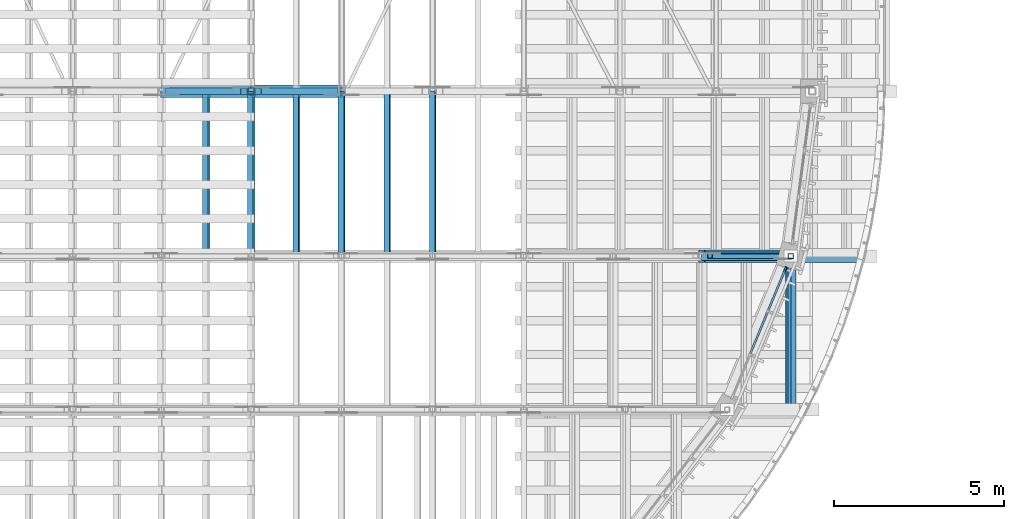
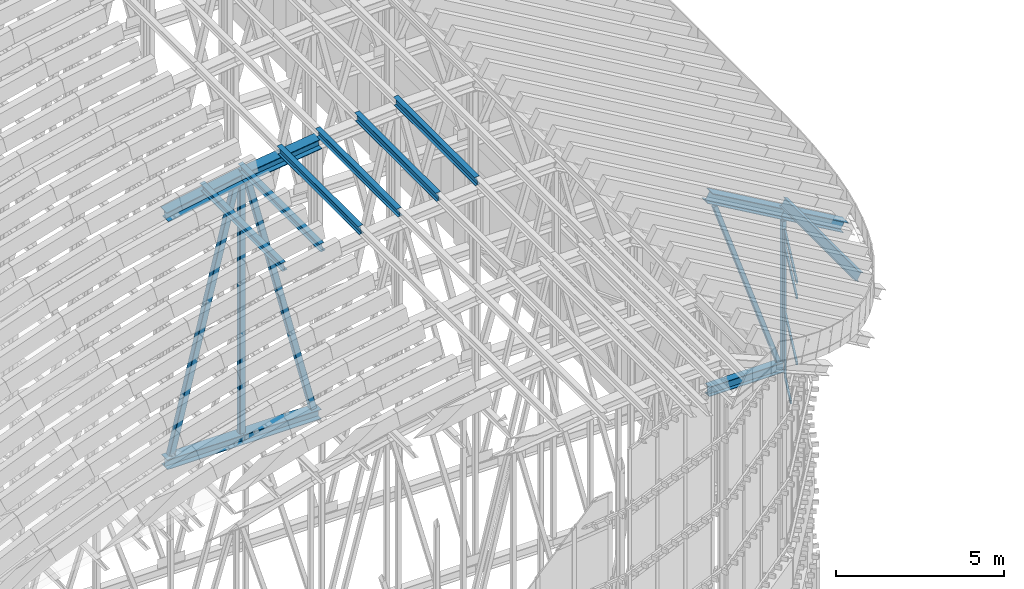
# One storey, part 13 of 105: 27 members, 1 element without a shape of its own.
"""IFC4 building model written with IfcOpenShell, lengths in metres."""

from ifc_helpers import new_model, si_unit, direction, frame, origin, origin_2d, place, context, subcontext, project, spatial, rectangle, hollow_rectangle, i_section, extrude, material, layer, layer_set, material_profile, profile_set, type_object, element, aggregate, save


model = new_model("IFC4")

# Units and contexts
model_context = context("Model", 3, precision=1e-05, world=origin(), true_north=direction((0.0, 1.0)))
body_context = subcontext(model_context, "Body", "Model", "MODEL_VIEW")
ifc_project = project(units=[si_unit("LENGTHUNIT", "METRE"), si_unit("AREAUNIT", "SQUARE_METRE"), si_unit("VOLUMEUNIT", "CUBIC_METRE"), si_unit("PLANEANGLEUNIT", "RADIAN"), si_unit("MASSUNIT", "GRAM", prefix="KILO")], contexts=[model_context])

# Site, building, storey
site_placement = place(None, origin())
site = spatial("IfcSite", under=ifc_project, at=site_placement, CompositionType="ELEMENT")
building_placement = place(site_placement, origin())
building = spatial("IfcBuilding", under=site, at=building_placement, Name="Wasatch Bagh Community Centre", CompositionType="ELEMENT")
storey_placement = place(building_placement, frame((0.0, 0.0, 16.800048828125)))
storey = spatial("IfcBuildingStorey", under=building, at=storey_placement, Name="L04", CompositionType="ELEMENT", Elevation=16.800048828125)

# Members
ifc_material_1 = material(Name="ASTM A500 Grade C steel", Category="steel")
ifc_material_profile_1 = material_profile(ifc_material_1, hollow_rectangle(XDim=0.15234375, YDim=0.15234375, WallThickness=0.0087890625, InnerFilletRadius=0.0087890625, OuterFilletRadius=0.017822265625, at=origin_2d()), Name="HSS6x6x3/8")
ifc_profile_set_1 = profile_set([ifc_material_profile_1], Name="ASTM A500 Grade C steel")
member_type_1 = type_object("IfcMemberType", Name="HSS6x6x3/8 brace", PredefinedType="BRACE", material=ifc_profile_set_1)
member_1_placement = place(storey_placement, frame((53.9248046875, 30.147216796875, 8.095703125), z_axis=(-0.322264482439, 0.0, 0.946649672983), x_axis=(0.0, -1.0, 0.0)))
element("IfcMember", 1, at=member_1_placement, inside=storey, type_object=member_type_1, Name="MH.TS1.WB14", PredefinedType="BRACE", context=body_context, shape_type="SweptSolid", body=[
    extrude(hollow_rectangle(XDim=0.15234375, YDim=0.15234375, WallThickness=0.0087890625, InnerFilletRadius=0.0087890625, OuterFilletRadius=0.017822265625, at=origin_2d()), origin(), (0.0, 0.0, 1.0), 6.79931640625),
])
ifc_material_profile_2 = material_profile(ifc_material_1, hollow_rectangle(XDim=0.15234375, YDim=0.15234375, WallThickness=0.0087890625, InnerFilletRadius=0.0087890625, OuterFilletRadius=0.017822265625, at=origin_2d()), Name="HSS6x6x3/8")
ifc_profile_set_2 = profile_set([ifc_material_profile_2], Name="ASTM A500 Grade C steel")
member_type_2 = type_object("IfcMemberType", Name="HSS6x6x3/8 post", PredefinedType="POST", material=ifc_profile_set_2)
member_2_placement = place(storey_placement, frame((54.111083984375, 30.147216796875, 8.070556640625), z_axis=(0.0, 0.0, 1.0), x_axis=(1.0, 0.0, 0.0)))
element("IfcMember", 2, at=member_2_placement, inside=storey, type_object=member_type_2, Name="MH.TS1.PS15", PredefinedType="POST", context=body_context, shape_type="SweptSolid", body=[
    extrude(hollow_rectangle(XDim=0.15234375, YDim=0.15234375, WallThickness=0.0087890625, InnerFilletRadius=0.0087890625, OuterFilletRadius=0.017822265625, at=origin_2d()), origin(), (0.0, 0.0, 1.0), 5.090576171875),
])
ifc_material_profile_3 = material_profile(ifc_material_1, hollow_rectangle(XDim=0.203125, YDim=0.203125, WallThickness=0.01171875, InnerFilletRadius=0.01171875, OuterFilletRadius=0.023681640625, at=origin_2d()), Name="HSS8x8x1/2")
ifc_profile_set_3 = profile_set([ifc_material_profile_3], Name="ASTM A500 Grade C steel")
member_type_3 = type_object("IfcMemberType", Name="HSS8x8x1/2 post", PredefinedType="POST", material=ifc_profile_set_3)
member_3_placement = place(storey_placement, frame((38.226318359375, 35.0, 8.070556640625), z_axis=(0.0, 0.0, 1.0), x_axis=(1.0, 0.0, 0.0)))
element("IfcMember", 3, at=member_3_placement, inside=storey, type_object=member_type_3, Name="MH.TA1.PS10", PredefinedType="POST", context=body_context, shape_type="SweptSolid", body=[
    extrude(hollow_rectangle(XDim=0.203125, YDim=0.203125, WallThickness=0.01171875, InnerFilletRadius=0.01171875, OuterFilletRadius=0.023681640625, at=origin_2d()), origin(), (0.0, 0.0, 1.0), 9.114013671875),
])
ifc_material_profile_4 = material_profile(ifc_material_1, hollow_rectangle(XDim=0.203125, YDim=0.203125, WallThickness=0.0087890625, InnerFilletRadius=0.0087890625, OuterFilletRadius=0.017822265625, at=origin_2d()), Name="HSS8x8x3/8")
ifc_profile_set_4 = profile_set([ifc_material_profile_4], Name="ASTM A500 Grade C steel")
member_type_4 = type_object("IfcMemberType", Name="HSS8x8x3/8 brace", PredefinedType="BRACE", material=ifc_profile_set_4)
member_4_placement = place(storey_placement, frame((35.7900390625, 35.0, 8.095458984375), z_axis=(0.239060955477, 0.0, 0.971004562073), x_axis=(0.0, 1.0, 0.0)))
element("IfcMember", 4, at=member_4_placement, inside=storey, type_object=member_type_4, Name="MH.TA1.WB09", PredefinedType="BRACE", context=body_context, shape_type="SweptSolid", body=[
    extrude(hollow_rectangle(XDim=0.203125, YDim=0.203125, WallThickness=0.0087890625, InnerFilletRadius=0.0087890625, OuterFilletRadius=0.017822265625, at=origin_2d()), origin(), (0.0, 0.0, 1.0), 9.29541015625),
])
member_5_placement = place(storey_placement, frame((40.68408203125, 35.0, 8.095458984375), z_axis=(-0.239967720636, 0.0, 0.97078086768), x_axis=(0.0, -1.0, 0.0)))
element("IfcMember", 5, at=member_5_placement, inside=storey, type_object=member_type_4, Name="MH.TA1.WB10", PredefinedType="BRACE", context=body_context, shape_type="SweptSolid", body=[
    extrude(hollow_rectangle(XDim=0.203125, YDim=0.203125, WallThickness=0.0087890625, InnerFilletRadius=0.0087890625, OuterFilletRadius=0.017822265625, at=origin_2d()), origin(), (0.0, 0.0, 1.0), 9.398681640625),
])

# Curtain wall, members
ifc_material_2 = material(Name="Aluminium curtain wall frame with low-iron glass", Category="aluminium")
ifc_layer = layer(ifc_material_2, 0.10009765625)
ifc_layer_set = layer_set([ifc_layer], Name="Aluminium curtain wall frame with low-iron glass")
curtain_wall_type = type_object("IfcCurtainWallType", Name="MH end screen curtain wall 9", PredefinedType="NOTDEFINED", material=ifc_layer_set)
curtain_wall_placement = place(storey_placement, origin())
curtain_wall = element("IfcCurtainWall", 6, at=curtain_wall_placement, inside=storey, type_object=curtain_wall_type, Name="End screen 11", PredefinedType="NOTDEFINED")
ifc_material_3 = material(Name="Aluminium extrusion", Category="aluminium")
ifc_material_profile_5 = material_profile(ifc_material_3, rectangle(XDim=0.06005859375, YDim=0.159912109375, at=origin_2d()), Name="AL 60x160")
ifc_profile_set_5 = profile_set([ifc_material_profile_5], Name="Aluminium extrusion")
member_type_5 = type_object("IfcMemberType", Name="MH end screen mullion 60x160", PredefinedType="MULLION", material=ifc_profile_set_5)
member_6_placement = place(storey_placement, frame((53.95166015625, 29.762451171875, 7.699951171875), z_axis=(0.0, 0.0, 1.0), x_axis=(-0.923879532585, 0.382683432188, 0.0)))
member_6 = element("IfcMember", 7, at=member_6_placement, type_object=member_type_5, Name="MH-CW9 mullion 4", PredefinedType="MULLION", context=body_context, shape_type="SweptSolid", body=[
    extrude(rectangle(XDim=0.06005859375, YDim=0.159912109375, at=origin_2d()), origin(), (0.0, 0.0, 1.0), 5.39990234375),
])
ifc_material_profile_6 = material_profile(ifc_material_3, rectangle(XDim=0.06005859375, YDim=0.1201171875, at=origin_2d()), Name="AL 60x120")
ifc_profile_set_6 = profile_set([ifc_material_profile_6], Name="Aluminium extrusion")
member_type_6 = type_object("IfcMemberType", Name="MH end screen transom 60x120", PredefinedType="USERDEFINED", material=ifc_profile_set_6)
member_7_placement = place(storey_placement, frame((52.923095703125, 27.279052734375, 10.099853515625), z_axis=(0.382767514508, 0.923844700065, 0.0), x_axis=(-0.923844700065, 0.382767514508, 0.0)))
member_7 = element("IfcMember", 8, at=member_7_placement, type_object=member_type_6, Name="MH-CW9 transom 2.2", ObjectType="TRANSOM", PredefinedType="USERDEFINED", context=body_context, shape_type="SweptSolid", body=[
    extrude(rectangle(XDim=0.06005859375, YDim=0.1201171875, at=origin_2d()), origin(), (0.0, 0.0, 1.0), 1.31396484375),
])
member_8_placement = place(storey_placement, frame((52.923095703125, 27.279052734375, 12.5), z_axis=(0.382767514508, 0.923844700065, 0.0), x_axis=(-0.923844700065, 0.382767514508, 0.0)))
member_8 = element("IfcMember", 9, at=member_8_placement, type_object=member_type_6, Name="MH-CW9 transom 2.3", ObjectType="TRANSOM", PredefinedType="USERDEFINED", context=body_context, shape_type="SweptSolid", body=[
    extrude(rectangle(XDim=0.06005859375, YDim=0.1201171875, at=origin_2d()), origin(), (0.0, 0.0, 1.0), 1.31396484375),
])
member_9_placement = place(storey_placement, frame((52.923095703125, 27.279052734375, 13.070068359375), z_axis=(0.382767514508, 0.923844700065, 0.0), x_axis=(-0.923844700065, 0.382767514508, 0.0)))
member_9 = element("IfcMember", 10, at=member_9_placement, type_object=member_type_6, Name="MH-CW9 transom 2.4", ObjectType="TRANSOM", PredefinedType="USERDEFINED", context=body_context, shape_type="SweptSolid", body=[
    extrude(rectangle(XDim=0.06005859375, YDim=0.1201171875, at=origin_2d()), origin(), (0.0, 0.0, 1.0), 1.31396484375),
])
member_10_placement = place(storey_placement, frame((53.448974609375, 28.548583984375, 7.72998046875), z_axis=(0.382642933155, 0.923896306793, 0.0), x_axis=(-0.923896306793, 0.382642933155, 0.0)))
member_10 = element("IfcMember", 11, at=member_10_placement, type_object=member_type_6, Name="MH-CW9 transom 3.1", ObjectType="TRANSOM", PredefinedType="USERDEFINED", context=body_context, shape_type="SweptSolid", body=[
    extrude(rectangle(XDim=0.06005859375, YDim=0.1201171875, at=origin_2d()), origin(), (0.0, 0.0, 1.0), 1.28369140625),
])
member_11_placement = place(storey_placement, frame((53.448974609375, 28.548583984375, 10.099853515625), z_axis=(0.382642933155, 0.923896306793, 0.0), x_axis=(-0.923896306793, 0.382642933155, 0.0)))
member_11 = element("IfcMember", 12, at=member_11_placement, type_object=member_type_6, Name="MH-CW9 transom 3.2", ObjectType="TRANSOM", PredefinedType="USERDEFINED", context=body_context, shape_type="SweptSolid", body=[
    extrude(rectangle(XDim=0.06005859375, YDim=0.1201171875, at=origin_2d()), origin(), (0.0, 0.0, 1.0), 1.28369140625),
])
member_12_placement = place(storey_placement, frame((53.448974609375, 28.548583984375, 12.5), z_axis=(0.382642933155, 0.923896306793, 0.0), x_axis=(-0.923896306793, 0.382642933155, 0.0)))
member_12 = element("IfcMember", 13, at=member_12_placement, type_object=member_type_6, Name="MH-CW9 transom 3.3", ObjectType="TRANSOM", PredefinedType="USERDEFINED", context=body_context, shape_type="SweptSolid", body=[
    extrude(rectangle(XDim=0.06005859375, YDim=0.1201171875, at=origin_2d()), origin(), (0.0, 0.0, 1.0), 1.28369140625),
])
member_13_placement = place(storey_placement, frame((53.448974609375, 28.548583984375, 13.070068359375), z_axis=(0.382642933155, 0.923896306793, 0.0), x_axis=(-0.923896306793, 0.382642933155, 0.0)))
member_13 = element("IfcMember", 14, at=member_13_placement, type_object=member_type_6, Name="MH-CW9 transom 3.4", ObjectType="TRANSOM", PredefinedType="USERDEFINED", context=body_context, shape_type="SweptSolid", body=[
    extrude(rectangle(XDim=0.06005859375, YDim=0.1201171875, at=origin_2d()), origin(), (0.0, 0.0, 1.0), 1.28369140625),
])
aggregate(curtain_wall, [member_6, member_7, member_8, member_9, member_10, member_11, member_12, member_13])

# Members
ifc_material_4 = material(Name="ASTM A992 Grade 50 steel", Category="steel")
ifc_material_profile_7 = material_profile(ifc_material_4, i_section(OverallWidth=0.164794921875, OverallDepth=0.309814453125, WebThickness=0.005859375, FlangeThickness=0.009765625, at=origin_2d()), Name="W12x26")
ifc_profile_set_7 = profile_set([ifc_material_profile_7], Name="ASTM A992 Grade 50 steel")
member_type_7 = type_object("IfcMemberType", Name="W12x26 purlin", PredefinedType="PURLIN", material=ifc_profile_set_7)
member_14_placement = place(storey_placement, frame((54.111083984375, 25.625, 13.84033203125), z_axis=(0.0, 1.0, 0.0), x_axis=(-0.866025403784, 0.0, 0.5)))
element("IfcMember", 15, at=member_14_placement, inside=storey, type_object=member_type_7, Name="MH.TS2-TS1.PU28", PredefinedType="PURLIN", context=body_context, shape_type="SweptSolid", body=[
    extrude(i_section(OverallWidth=0.164794921875, OverallDepth=0.309814453125, WebThickness=0.005859375, FlangeThickness=0.009765625, at=origin_2d()), origin(), (0.0, 0.0, 1.0), 4.522216796875),
])
for number, where, z_axis, x_axis, name in (
    (16, (36.90576171875, 30.147216796875, 17.493408203125), (0.0, 1.0, 0.0), (-0.983711293114, 0.0, -0.179755644695), "MH.TS1-TA1.PU18"),
    (17, (38.226318359375, 30.147216796875, 17.734619140625), (0.0, 1.0, 0.0), (-0.983711293114, 0.0, -0.179755644695), "MH.TS1-TA1.PU19"),
    (18, (39.5576171875, 30.147216796875, 17.90625), (0.0, 1.0, 0.0), (-0.991678342395, 0.0, -0.12874030148), "MH.TS1-TA1.PU20"),
    (19, (40.88916015625, 30.147216796875, 18.0791015625), (0.0, 1.0, 0.0), (-0.991678342395, 0.0, -0.12874030148), "MH.TS1-TA1.PU21"),
    (20, (42.2275390625, 30.147216796875, 18.18212890625), (0.0, 1.0, 0.0), (-0.997001538098, 0.0, -0.077381735761), "MH.TS1-TA1.PU22"),
    (21, (43.56591796875, 30.147216796875, 18.2861328125), (0.0, 1.0, 0.0), (-0.997001538098, 0.0, -0.077381735761), "MH.TS1-TA1.PU23"),
):
    element("IfcMember", number, at=place(storey_placement, frame(where, z_axis=z_axis, x_axis=x_axis)), inside=storey, type_object=member_type_7, Name=name, PredefinedType="PURLIN", context=body_context, shape_type="SweptSolid", body=[
        extrude(i_section(OverallWidth=0.164794921875, OverallDepth=0.309814453125, WebThickness=0.005859375, FlangeThickness=0.009765625, at=origin_2d()), origin(), (0.0, 0.0, 1.0), 4.852783203125),
    ])
ifc_material_profile_8 = material_profile(ifc_material_4, i_section(OverallWidth=0.373291015625, OverallDepth=0.368408203125, WebThickness=0.014892578125, FlangeThickness=0.02392578125, at=origin_2d()), Name="W14x120")
ifc_profile_set_8 = profile_set([ifc_material_profile_8], Name="ASTM A992 Grade 50 steel")
member_type_8 = type_object("IfcMemberType", Name="W14x120 chord", PredefinedType="CHORD", material=ifc_profile_set_8)
member_15_placement = place(storey_placement, frame((35.59033203125, 35.0, 16.907470703125), z_axis=(0.983600080767, 0.0, 0.180363192242), x_axis=(0.0, 1.0, 0.0)))
element("IfcMember", 22, at=member_15_placement, inside=storey, type_object=member_type_8, Name="MH.TA1.TC11", PredefinedType="CHORD", context=body_context, shape_type="SweptSolid", body=[
    extrude(i_section(OverallWidth=0.373291015625, OverallDepth=0.368408203125, WebThickness=0.014892578125, FlangeThickness=0.02392578125, at=origin_2d()), origin(), (0.0, 0.0, 1.0), 2.6748046875),
])
member_16_placement = place(storey_placement, frame((38.231689453125, 35.0, 17.3916015625), z_axis=(0.991622793243, 0.0, 0.129167472378), x_axis=(0.0, 1.0, 0.0)))
element("IfcMember", 23, at=member_16_placement, inside=storey, type_object=member_type_8, Name="MH.TA1.TC12", PredefinedType="CHORD", context=body_context, shape_type="SweptSolid", body=[
    extrude(i_section(OverallWidth=0.373291015625, OverallDepth=0.368408203125, WebThickness=0.014892578125, FlangeThickness=0.02392578125, at=origin_2d()), origin(), (0.0, 0.0, 1.0), 2.674560546875),
])
ifc_material_profile_9 = material_profile(ifc_material_4, i_section(OverallWidth=0.25390625, OverallDepth=0.355712890625, WebThickness=0.010498046875, FlangeThickness=0.018310546875, at=origin_2d()), Name="W14x68")
ifc_profile_set_9 = profile_set([ifc_material_profile_9], Name="ASTM A992 Grade 50 steel")
member_type_9 = type_object("IfcMemberType", Name="W14x68 chord", PredefinedType="CHORD", material=ifc_profile_set_9)
member_17_placement = place(storey_placement, frame((51.49072265625, 30.147216796875, 7.892822265625), z_axis=(1.0, 0.0, 0.0), x_axis=(0.0, 1.0, 0.0)))
element("IfcMember", 24, at=member_17_placement, inside=storey, type_object=member_type_9, Name="MH.TS1.BC14", PredefinedType="CHORD", context=body_context, shape_type="SweptSolid", body=[
    extrude(i_section(OverallWidth=0.25390625, OverallDepth=0.355712890625, WebThickness=0.010498046875, FlangeThickness=0.018310546875, at=origin_2d()), origin(), (0.0, 0.0, 1.0), 2.620361328125),
])
ifc_material_profile_10 = material_profile(ifc_material_4, i_section(OverallWidth=0.368408203125, OverallDepth=0.355712890625, WebThickness=0.01123046875, FlangeThickness=0.01806640625, at=origin_2d()), Name="W14x90")
ifc_profile_set_10 = profile_set([ifc_material_profile_10], Name="ASTM A992 Grade 50 steel")
member_type_10 = type_object("IfcMemberType", Name="W14x90 chord", PredefinedType="CHORD", material=ifc_profile_set_10)
member_18_placement = place(storey_placement, frame((35.585205078125, 35.0, 7.892822265625), z_axis=(1.0, 0.0, 0.0), x_axis=(0.0, 1.0, 0.0)))
element("IfcMember", 25, at=member_18_placement, inside=storey, type_object=member_type_10, Name="MH.TA1.BC09", PredefinedType="CHORD", context=body_context, shape_type="SweptSolid", body=[
    extrude(i_section(OverallWidth=0.368408203125, OverallDepth=0.355712890625, WebThickness=0.01123046875, FlangeThickness=0.01806640625, at=origin_2d()), origin(), (0.0, 0.0, 1.0), 2.64111328125),
])
member_19_placement = place(storey_placement, frame((38.226318359375, 35.0, 7.892822265625), z_axis=(1.0, 0.0, 0.0), x_axis=(0.0, 1.0, 0.0)))
element("IfcMember", 26, at=member_19_placement, inside=storey, type_object=member_type_10, Name="MH.TA1.BC10", PredefinedType="CHORD", context=body_context, shape_type="SweptSolid", body=[
    extrude(i_section(OverallWidth=0.368408203125, OverallDepth=0.355712890625, WebThickness=0.01123046875, FlangeThickness=0.01806640625, at=origin_2d()), origin(), (0.0, 0.0, 1.0), 2.662841796875),
])
member_20_placement = place(storey_placement, frame((51.4912109375, 30.147216796875, 14.96875), z_axis=(0.866004119088, 0.0, -0.500036864363), x_axis=(0.0, 1.0, 0.0)))
element("IfcMember", 27, at=member_20_placement, inside=storey, type_object=member_type_10, Name="MH.TS1.TC16", PredefinedType="CHORD", context=body_context, shape_type="SweptSolid", body=[
    extrude(i_section(OverallWidth=0.368408203125, OverallDepth=0.355712890625, WebThickness=0.01123046875, FlangeThickness=0.01806640625, at=origin_2d()), origin(), (0.0, 0.0, 1.0), 3.024658203125),
])
member_21_placement = place(storey_placement, frame((54.111572265625, 30.147216796875, 13.455810546875), z_axis=(0.866020804944, 0.0, -0.50000796534), x_axis=(0.0, 1.0, 0.0)))
element("IfcMember", 28, at=member_21_placement, inside=storey, type_object=member_type_10, Name="MH.TS1.TC17", PredefinedType="CHORD", context=body_context, shape_type="SweptSolid", body=[
    extrude(i_section(OverallWidth=0.368408203125, OverallDepth=0.355712890625, WebThickness=0.01123046875, FlangeThickness=0.01806640625, at=origin_2d()), origin(), (0.0, 0.0, 1.0), 2.36865234375),
])

save(model, "model.ifc")
